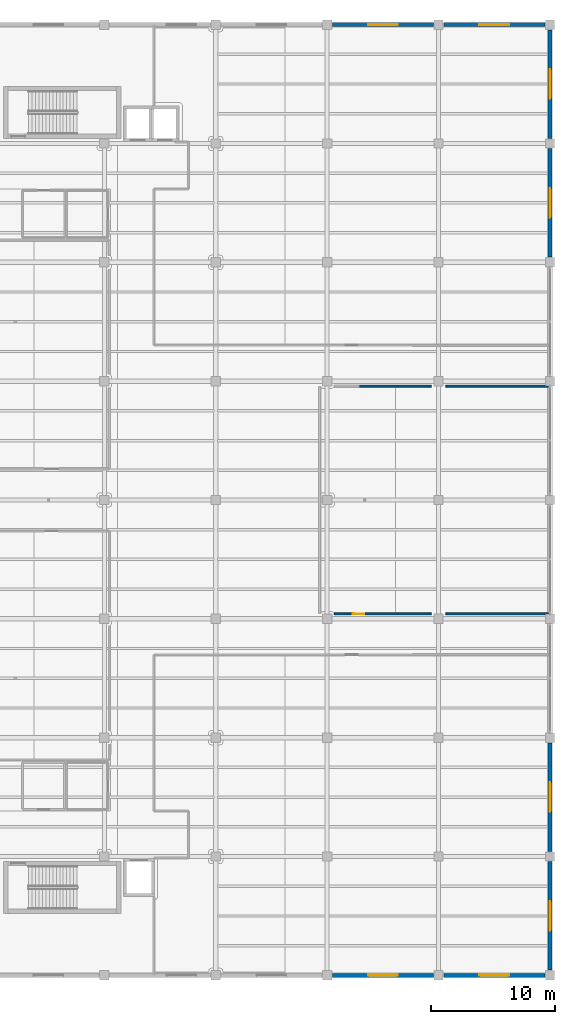
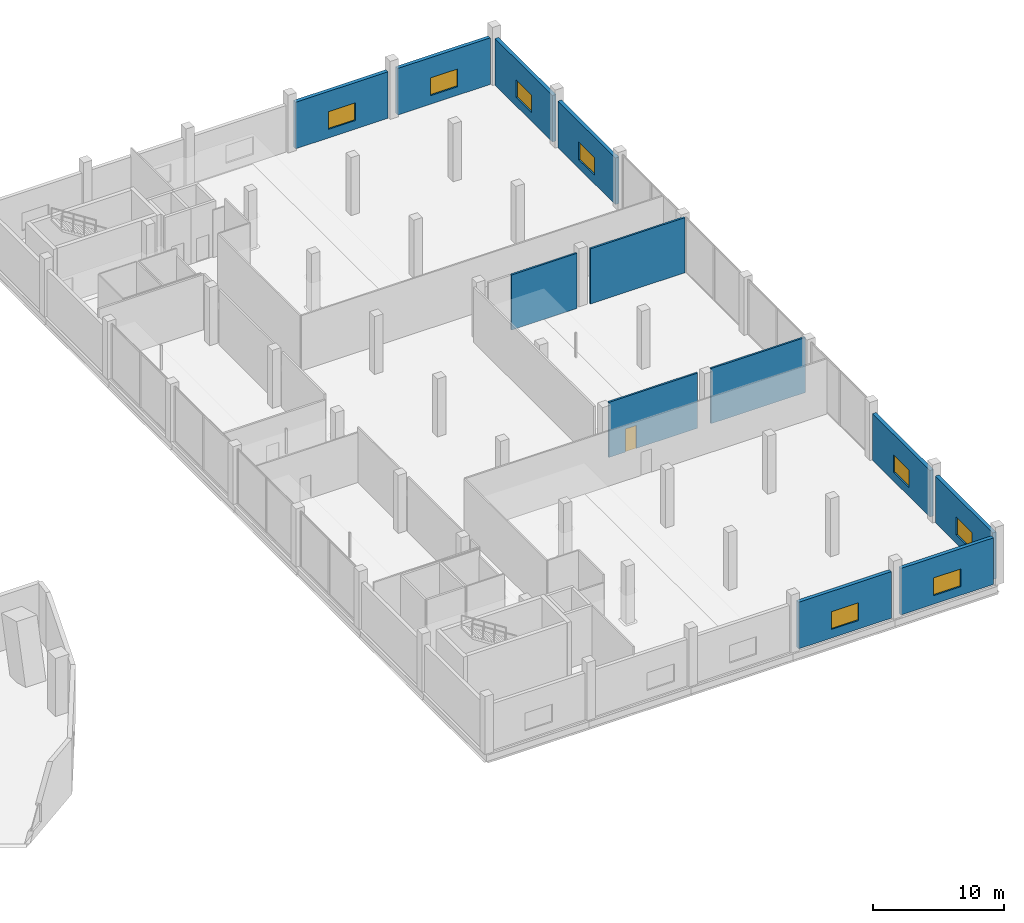
# One storey, part 34 of 47: 12 walls, 8 windows, 1 door, 9 openings.
"""IFC4 building model written with IfcOpenShell, lengths in metres."""

from ifc_helpers import new_model, si_unit, direction, frame, frame_2d, origin, place, context, subcontext, project, spatial, rectangle, extrude, material, layer, layer_set, type_object, element, fill, save


model = new_model("IFC4")

# Units and contexts
model_context = context("Model", 3, precision=1e-05, world=origin(), true_north=direction((0.0, 1.0)))
body_context = subcontext(model_context, "Body", "Model", "MODEL_VIEW")
ifc_project = project(units=[si_unit("LENGTHUNIT", "METRE"), si_unit("AREAUNIT", "SQUARE_METRE"), si_unit("VOLUMEUNIT", "CUBIC_METRE"), si_unit("PLANEANGLEUNIT", "RADIAN"), si_unit("MASSUNIT", "GRAM", prefix="KILO")], contexts=[model_context])

# Site, building, storey
site_placement = place(None, origin())
site = spatial("IfcSite", under=ifc_project, at=site_placement, CompositionType="ELEMENT")
building_placement = place(site_placement, origin())
building = spatial("IfcBuilding", under=site, at=building_placement, Name="Qorvath Tower", CompositionType="ELEMENT")
storey_placement = place(building_placement, frame((0.0, 0.0, 6.60009765625)))
storey = spatial("IfcBuildingStorey", under=building, at=storey_placement, Name="L01", CompositionType="ELEMENT", Elevation=6.60009765625)

# Wall, opening, door
ifc_material_1 = material(Name="Double acoustic gypsum board on steel studs", Category="steel")
ifc_layer_1 = layer(ifc_material_1, 0.159912109375)
ifc_layer_set_1 = layer_set([ifc_layer_1], Name="IW-ACOUSTIC-160")
wall_type_1 = type_object("IfcWallType", Name="IW-ACOUSTIC-160", PredefinedType="PARTITIONING", material=ifc_layer_set_1)
wall_1_placement = place(storey_placement, frame((59.986328125, -9.19189453125, 0.0), z_axis=(0.0, 0.0, 1.0), x_axis=(0.999999469821, -0.001029737027, 0.0)))
wall_1 = element("IfcWall", 1, at=wall_1_placement, inside=storey, type_object=wall_type_1, Name="Interior Partition IW-LB-L01-029", PredefinedType="PARTITIONING", context=body_context, shape_type="SweptSolid", body=[
    extrude(rectangle(XDim=7.823974609375, YDim=0.159912109375, at=frame_2d((3.912109375, 0.0))), origin(), (0.0, 0.0, 1.0), 5.139892578125),
])
opening_1_placement = place(wall_1_placement, frame((1.472900390625, 0.0, 0.0)))
opening_1 = element("IfcOpeningElement", 2, at=opening_1_placement, cuts=wall_1, Name="Opening D-LB-L01-07", PredefinedType="OPENING", context=body_context, shape_type="SweptSolid", body=[
    extrude(rectangle(XDim=0.949951171875, YDim=2.14990234375, at=frame_2d((0.47509765625, 1.074951171875))), frame((0.0, 0.08984375, 0.0), z_axis=(0.0, -1.0, 0.0), x_axis=(1.0, 0.0, 0.0)), (0.0, 0.0, 1.0), 0.179931640625),
])
ifc_material_2 = material(Name="Solid-core American white oak veneer", Category="wood")
door_type = type_object("IfcDoorType", Name="D-01", OperationType="NOTDEFINED", PredefinedType="DOOR", material=ifc_material_2)
door_placement = place(opening_1_placement, origin())
door = element("IfcDoor", 3, at=door_placement, inside=storey, type_object=door_type, Name="L-L01-RDG-E East Daylight Reading Room L01 Door D-LB-L01-07", OperationType="SINGLE_SWING_RIGHT", OverallHeight=2.14990234375, OverallWidth=0.949951171875, PredefinedType="DOOR", context=body_context, shape_type="SweptSolid", body=[
    extrude(rectangle(XDim=0.949951171875, YDim=2.14990234375, at=frame_2d((0.47509765625, 1.074951171875))), frame((0.0, 0.02490234375, 0.0), z_axis=(0.0, -1.0, 0.0), x_axis=(1.0, 0.0, 0.0)), (0.0, 0.0, 1.0), 0.050048828125),
])
fill(opening_1, door)

# Walls
for number, where, z_axis, x_axis, name in (
    (4, (68.989501953125, -9.199951171875, 0.0), (0.0, 0.0, 1.0), (1.0, 0.0, 0.0), "Interior Partition IW-LB-L01-030"),
    (5, (77.320068359375, 9.199951171875, 0.0), (0.0, 0.0, 1.0), (-1.0, 0.0, 0.0), "Interior Partition IW-LB-L01-031"),
):
    element("IfcWall", number, at=place(storey_placement, frame(where, z_axis=z_axis, x_axis=x_axis)), inside=storey, type_object=wall_type_1, Name=name, PredefinedType="PARTITIONING", context=body_context, shape_type="SweptSolid", body=[
        extrude(rectangle(XDim=8.33056640625, YDim=0.159912109375, at=frame_2d((4.165283203125, 0.0))), origin(), (0.0, 0.0, 1.0), 5.139892578125),
    ])
wall_2_placement = place(storey_placement, frame((67.810302734375, 9.199951171875, 0.0), z_axis=(0.0, 0.0, 1.0), x_axis=(-1.0, 0.0, 0.0)))
element("IfcWall", 6, at=wall_2_placement, inside=storey, type_object=wall_type_1, Name="Interior Partition IW-LB-L01-032", PredefinedType="PARTITIONING", context=body_context, shape_type="SweptSolid", body=[
    extrude(rectangle(XDim=5.777099609375, YDim=0.159912109375, at=frame_2d((2.888671875, 0.0))), origin(), (0.0, 0.0, 1.0), 5.139892578125),
])

# Wall, opening, window
ifc_material_3 = material(Name="Precast concrete C45/55", Category="concrete")
ifc_layer_2 = layer(ifc_material_3, 0.320068359375)
ifc_layer_set_2 = layer_set([ifc_layer_2], Name="WL-EW-LIB-320")
wall_type_2 = type_object("IfcWallType", Name="WL-EW-LIB-320", PredefinedType="SOLIDWALL", material=ifc_layer_set_2)
wall_3_placement = place(storey_placement, frame((77.39990234375, -29.219970703125, 0.0), z_axis=(0.0, 0.0, 1.0), x_axis=(0.0, -1.0, 0.0)))
wall_3 = element("IfcWall", 7, at=wall_3_placement, inside=storey, type_object=wall_type_2, Name="Library E Precast Wall L01-1", PredefinedType="SOLIDWALL", context=body_context, shape_type="SweptSolid", body=[
    extrude(rectangle(XDim=8.760009765625, YDim=0.320068359375, at=frame_2d((4.3798828125, 0.0))), origin(), (0.0, 0.0, 1.0), 4.3369140625),
])
opening_2_placement = place(wall_3_placement, frame((3.179931640625, 0.0, 0.800048828125)))
opening_2 = element("IfcOpeningElement", 8, at=opening_2_placement, cuts=wall_3, Name="Opening WN-L-083", PredefinedType="OPENING", context=body_context, shape_type="SweptSolid", body=[
    extrude(rectangle(XDim=2.39990234375, YDim=1.64990234375, at=frame_2d((1.199951171875, 0.824951171875))), frame((0.0, 0.169921875, 0.0), z_axis=(0.0, -1.0, 0.0), x_axis=(1.0, 0.0, 0.0)), (0.0, 0.0, 1.0), 0.340087890625),
])
ifc_material_4 = material(Name="Thermally broken aluminium and triple low-E glass", Category="aluminium")
window_type = type_object("IfcWindowType", Name="WN-2", PartitioningType="SINGLE_PANEL", PredefinedType="WINDOW", material=ifc_material_4)
window_1_placement = place(opening_2_placement, origin())
window_1 = element("IfcWindow", 9, at=window_1_placement, inside=storey, type_object=window_type, Name="Library Reading Punched Window 083", OverallHeight=1.64990234375, OverallWidth=2.39990234375, PartitioningType="SINGLE_PANEL", PredefinedType="WINDOW", context=body_context, shape_type="SweptSolid", body=[
    extrude(rectangle(XDim=2.39990234375, YDim=1.64990234375, at=frame_2d((1.199951171875, 0.824951171875))), frame((0.0, 0.030029296875, 0.0), z_axis=(0.0, -1.0, 0.0), x_axis=(1.0, 0.0, 0.0)), (0.0, 0.0, 1.0), 0.06005859375),
])
fill(opening_2, window_1)

wall_4_placement = place(storey_placement, frame((77.39990234375, -19.6201171875, 0.0), z_axis=(0.0, 0.0, 1.0), x_axis=(0.0, -1.0, 0.0)))
wall_4 = element("IfcWall", 10, at=wall_4_placement, inside=storey, type_object=wall_type_2, Name="Library E Precast Wall L01-2", PredefinedType="SOLIDWALL", context=body_context, shape_type="SweptSolid", body=[
    extrude(rectangle(XDim=8.759765625, YDim=0.320068359375, at=frame_2d((4.3798828125, 0.0))), origin(), (0.0, 0.0, 1.0), 4.3369140625),
])
opening_3_placement = place(wall_4_placement, frame((3.179931640625, 0.0, 0.800048828125)))
opening_3 = element("IfcOpeningElement", 11, at=opening_3_placement, cuts=wall_4, Name="Opening WN-L-084", PredefinedType="OPENING", context=body_context, shape_type="SweptSolid", body=[
    extrude(rectangle(XDim=2.39990234375, YDim=1.64990234375, at=frame_2d((1.199951171875, 0.824951171875))), frame((0.0, 0.169921875, 0.0), z_axis=(0.0, -1.0, 0.0), x_axis=(1.0, 0.0, 0.0)), (0.0, 0.0, 1.0), 0.340087890625),
])
window_2_placement = place(opening_3_placement, origin())
window_2 = element("IfcWindow", 12, at=window_2_placement, inside=storey, type_object=window_type, Name="Library Reading Punched Window 084", OverallHeight=1.64990234375, OverallWidth=2.39990234375, PartitioningType="SINGLE_PANEL", PredefinedType="WINDOW", context=body_context, shape_type="SweptSolid", body=[
    extrude(rectangle(XDim=2.39990234375, YDim=1.64990234375, at=frame_2d((1.199951171875, 0.824951171875))), frame((0.0, 0.030029296875, 0.0), z_axis=(0.0, -1.0, 0.0), x_axis=(1.0, 0.0, 0.0)), (0.0, 0.0, 1.0), 0.06005859375),
])
fill(opening_3, window_2)

wall_5_placement = place(storey_placement, frame((77.39990234375, 28.3798828125, 0.0), z_axis=(0.0, 0.0, 1.0), x_axis=(0.0, -1.0, 0.0)))
wall_5 = element("IfcWall", 13, at=wall_5_placement, inside=storey, type_object=wall_type_2, Name="Library E Precast Wall L01-7", PredefinedType="SOLIDWALL", context=body_context, shape_type="SweptSolid", body=[
    extrude(rectangle(XDim=8.759765625, YDim=0.320068359375, at=frame_2d((4.3798828125, 0.0))), origin(), (0.0, 0.0, 1.0), 4.3369140625),
])
opening_4_placement = place(wall_5_placement, frame((3.179931640625, 0.0, 0.800048828125)))
opening_4 = element("IfcOpeningElement", 14, at=opening_4_placement, cuts=wall_5, Name="Opening WN-L-085", PredefinedType="OPENING", context=body_context, shape_type="SweptSolid", body=[
    extrude(rectangle(XDim=2.39990234375, YDim=1.64990234375, at=frame_2d((1.199951171875, 0.824951171875))), frame((0.0, 0.169921875, 0.0), z_axis=(0.0, -1.0, 0.0), x_axis=(1.0, 0.0, 0.0)), (0.0, 0.0, 1.0), 0.340087890625),
])
window_3_placement = place(opening_4_placement, origin())
window_3 = element("IfcWindow", 15, at=window_3_placement, inside=storey, type_object=window_type, Name="Library Reading Punched Window 085", OverallHeight=1.64990234375, OverallWidth=2.39990234375, PartitioningType="SINGLE_PANEL", PredefinedType="WINDOW", context=body_context, shape_type="SweptSolid", body=[
    extrude(rectangle(XDim=2.39990234375, YDim=1.64990234375, at=frame_2d((1.199951171875, 0.824951171875))), frame((0.0, 0.030029296875, 0.0), z_axis=(0.0, -1.0, 0.0), x_axis=(1.0, 0.0, 0.0)), (0.0, 0.0, 1.0), 0.06005859375),
])
fill(opening_4, window_3)

wall_6_placement = place(storey_placement, frame((77.39990234375, 37.97998046875, 0.0), z_axis=(0.0, 0.0, 1.0), x_axis=(0.0, -1.0, 0.0)))
wall_6 = element("IfcWall", 16, at=wall_6_placement, inside=storey, type_object=wall_type_2, Name="Library E Precast Wall L01-8", PredefinedType="SOLIDWALL", context=body_context, shape_type="SweptSolid", body=[
    extrude(rectangle(XDim=8.760009765625, YDim=0.320068359375, at=frame_2d((4.3798828125, 0.0))), origin(), (0.0, 0.0, 1.0), 4.3369140625),
])
opening_5_placement = place(wall_6_placement, frame((3.179931640625, 0.0, 0.800048828125)))
opening_5 = element("IfcOpeningElement", 17, at=opening_5_placement, cuts=wall_6, Name="Opening WN-L-086", PredefinedType="OPENING", context=body_context, shape_type="SweptSolid", body=[
    extrude(rectangle(XDim=2.39990234375, YDim=1.64990234375, at=frame_2d((1.199951171875, 0.824951171875))), frame((0.0, 0.169921875, 0.0), z_axis=(0.0, -1.0, 0.0), x_axis=(1.0, 0.0, 0.0)), (0.0, 0.0, 1.0), 0.340087890625),
])
window_4_placement = place(opening_5_placement, origin())
window_4 = element("IfcWindow", 18, at=window_4_placement, inside=storey, type_object=window_type, Name="Library Reading Punched Window 086", OverallHeight=1.64990234375, OverallWidth=2.39990234375, PartitioningType="SINGLE_PANEL", PredefinedType="WINDOW", context=body_context, shape_type="SweptSolid", body=[
    extrude(rectangle(XDim=2.39990234375, YDim=1.64990234375, at=frame_2d((1.199951171875, 0.824951171875))), frame((0.0, 0.030029296875, 0.0), z_axis=(0.0, -1.0, 0.0), x_axis=(1.0, 0.0, 0.0)), (0.0, 0.0, 1.0), 0.06005859375),
])
fill(opening_5, window_4)

wall_7_placement = place(storey_placement, frame((68.820068359375, 38.39990234375, 0.0), z_axis=(0.0, 0.0, 1.0), x_axis=(1.0, 0.0, 0.0)))
wall_7 = element("IfcWall", 19, at=wall_7_placement, inside=storey, type_object=wall_type_2, Name="Library N Precast Wall L01-1", PredefinedType="SOLIDWALL", context=body_context, shape_type="SweptSolid", body=[
    extrude(rectangle(XDim=8.159912109375, YDim=0.320068359375, at=frame_2d((4.080078125, 0.0))), origin(), (0.0, 0.0, 1.0), 4.3369140625),
])
opening_6_placement = place(wall_7_placement, frame((2.8798828125, 0.0, 0.800048828125)))
opening_6 = element("IfcOpeningElement", 20, at=opening_6_placement, cuts=wall_7, Name="Opening WN-L-087", PredefinedType="OPENING", context=body_context, shape_type="SweptSolid", body=[
    extrude(rectangle(XDim=2.39990234375, YDim=1.64990234375, at=frame_2d((1.199951171875, 0.824951171875))), frame((0.0, 0.169921875, 0.0), z_axis=(0.0, -1.0, 0.0), x_axis=(1.0, 0.0, 0.0)), (0.0, 0.0, 1.0), 0.340087890625),
])
window_5_placement = place(opening_6_placement, origin())
window_5 = element("IfcWindow", 21, at=window_5_placement, inside=storey, type_object=window_type, Name="Library Reading Punched Window 087", OverallHeight=1.64990234375, OverallWidth=2.39990234375, PartitioningType="SINGLE_PANEL", PredefinedType="WINDOW", context=body_context, shape_type="SweptSolid", body=[
    extrude(rectangle(XDim=2.39990234375, YDim=1.64990234375, at=frame_2d((1.199951171875, 0.824951171875))), frame((0.0, 0.030029296875, 0.0), z_axis=(0.0, -1.0, 0.0), x_axis=(1.0, 0.0, 0.0)), (0.0, 0.0, 1.0), 0.06005859375),
])
fill(opening_6, window_5)

wall_8_placement = place(storey_placement, frame((59.820068359375, 38.39990234375, 0.0), z_axis=(0.0, 0.0, 1.0), x_axis=(1.0, 0.0, 0.0)))
wall_8 = element("IfcWall", 22, at=wall_8_placement, inside=storey, type_object=wall_type_2, Name="Library N Precast Wall L01-2", PredefinedType="SOLIDWALL", context=body_context, shape_type="SweptSolid", body=[
    extrude(rectangle(XDim=8.159912109375, YDim=0.320068359375, at=frame_2d((4.080078125, 0.0))), origin(), (0.0, 0.0, 1.0), 4.3369140625),
])
opening_7_placement = place(wall_8_placement, frame((2.8798828125, 0.0, 0.800048828125)))
opening_7 = element("IfcOpeningElement", 23, at=opening_7_placement, cuts=wall_8, Name="Opening WN-L-088", PredefinedType="OPENING", context=body_context, shape_type="SweptSolid", body=[
    extrude(rectangle(XDim=2.39990234375, YDim=1.64990234375, at=frame_2d((1.199951171875, 0.824951171875))), frame((0.0, 0.169921875, 0.0), z_axis=(0.0, -1.0, 0.0), x_axis=(1.0, 0.0, 0.0)), (0.0, 0.0, 1.0), 0.340087890625),
])
window_6_placement = place(opening_7_placement, origin())
window_6 = element("IfcWindow", 24, at=window_6_placement, inside=storey, type_object=window_type, Name="Library Reading Punched Window 088", OverallHeight=1.64990234375, OverallWidth=2.39990234375, PartitioningType="SINGLE_PANEL", PredefinedType="WINDOW", context=body_context, shape_type="SweptSolid", body=[
    extrude(rectangle(XDim=2.39990234375, YDim=1.64990234375, at=frame_2d((1.199951171875, 0.824951171875))), frame((0.0, 0.030029296875, 0.0), z_axis=(0.0, -1.0, 0.0), x_axis=(1.0, 0.0, 0.0)), (0.0, 0.0, 1.0), 0.06005859375),
])
fill(opening_7, window_6)

wall_9_placement = place(storey_placement, frame((67.97998046875, -38.39990234375, 0.0), z_axis=(0.0, 0.0, 1.0), x_axis=(-1.0, 0.0, 0.0)))
wall_9 = element("IfcWall", 25, at=wall_9_placement, inside=storey, type_object=wall_type_2, Name="Library S Precast Wall L01-4", PredefinedType="SOLIDWALL", context=body_context, shape_type="SweptSolid", body=[
    extrude(rectangle(XDim=8.159912109375, YDim=0.320068359375, at=frame_2d((4.080078125, 0.0))), origin(), (0.0, 0.0, 1.0), 4.3369140625),
])
opening_8_placement = place(wall_9_placement, frame((2.8798828125, 0.0, 0.800048828125)))
opening_8 = element("IfcOpeningElement", 26, at=opening_8_placement, cuts=wall_9, Name="Opening WN-L-095", PredefinedType="OPENING", context=body_context, shape_type="SweptSolid", body=[
    extrude(rectangle(XDim=2.39990234375, YDim=1.64990234375, at=frame_2d((1.199951171875, 0.824951171875))), frame((0.0, 0.169921875, 0.0), z_axis=(0.0, -1.0, 0.0), x_axis=(1.0, 0.0, 0.0)), (0.0, 0.0, 1.0), 0.340087890625),
])
window_7_placement = place(opening_8_placement, origin())
window_7 = element("IfcWindow", 27, at=window_7_placement, inside=storey, type_object=window_type, Name="Library Reading Punched Window 095", OverallHeight=1.64990234375, OverallWidth=2.39990234375, PartitioningType="SINGLE_PANEL", PredefinedType="WINDOW", context=body_context, shape_type="SweptSolid", body=[
    extrude(rectangle(XDim=2.39990234375, YDim=1.64990234375, at=frame_2d((1.199951171875, 0.824951171875))), frame((0.0, 0.030029296875, 0.0), z_axis=(0.0, -1.0, 0.0), x_axis=(1.0, 0.0, 0.0)), (0.0, 0.0, 1.0), 0.06005859375),
])
fill(opening_8, window_7)

wall_10_placement = place(storey_placement, frame((76.97998046875, -38.39990234375, 0.0), z_axis=(0.0, 0.0, 1.0), x_axis=(-1.0, 0.0, 0.0)))
wall_10 = element("IfcWall", 28, at=wall_10_placement, inside=storey, type_object=wall_type_2, Name="Library S Precast Wall L01-5", PredefinedType="SOLIDWALL", context=body_context, shape_type="SweptSolid", body=[
    extrude(rectangle(XDim=8.159912109375, YDim=0.320068359375, at=frame_2d((4.080078125, 0.0))), origin(), (0.0, 0.0, 1.0), 4.3369140625),
])
opening_9_placement = place(wall_10_placement, frame((2.8798828125, 0.0, 0.800048828125)))
opening_9 = element("IfcOpeningElement", 29, at=opening_9_placement, cuts=wall_10, Name="Opening WN-L-096", PredefinedType="OPENING", context=body_context, shape_type="SweptSolid", body=[
    extrude(rectangle(XDim=2.39990234375, YDim=1.64990234375, at=frame_2d((1.199951171875, 0.824951171875))), frame((0.0, 0.169921875, 0.0), z_axis=(0.0, -1.0, 0.0), x_axis=(1.0, 0.0, 0.0)), (0.0, 0.0, 1.0), 0.340087890625),
])
window_8_placement = place(opening_9_placement, origin())
window_8 = element("IfcWindow", 30, at=window_8_placement, inside=storey, type_object=window_type, Name="Library Reading Punched Window 096", OverallHeight=1.64990234375, OverallWidth=2.39990234375, PartitioningType="SINGLE_PANEL", PredefinedType="WINDOW", context=body_context, shape_type="SweptSolid", body=[
    extrude(rectangle(XDim=2.39990234375, YDim=1.64990234375, at=frame_2d((1.199951171875, 0.824951171875))), frame((0.0, 0.030029296875, 0.0), z_axis=(0.0, -1.0, 0.0), x_axis=(1.0, 0.0, 0.0)), (0.0, 0.0, 1.0), 0.06005859375),
])
fill(opening_9, window_8)

save(model, "model.ifc")
